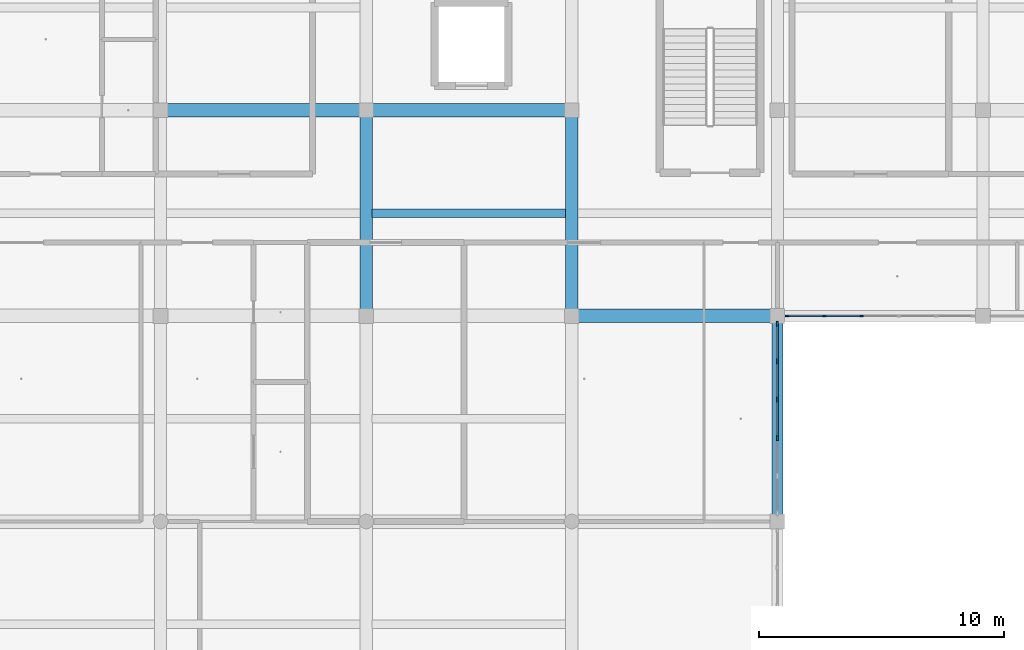
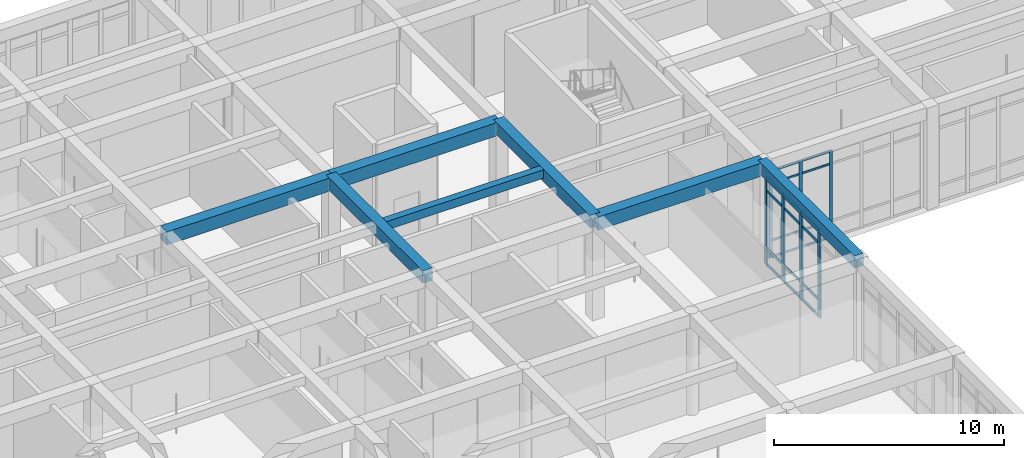
# One storey, part 39 of 157: 27 members, 7 beams, 2 elements without a shape of their own.
"""IFC4 building model written with IfcOpenShell, lengths in metres."""

from ifc_helpers import new_model, si_unit, direction, frame, origin, origin_2d, place, context, subcontext, project, spatial, rectangle, extrude, material, material_profile, profile_set, type_object, element, aggregate, save


model = new_model("IFC4")

# Units and contexts
model_context = context("Model", 3, precision=1e-05, world=origin(), true_north=direction((0.0, 1.0)))
body_context = subcontext(model_context, "Body", "Model", "MODEL_VIEW")
ifc_project = project(units=[si_unit("LENGTHUNIT", "METRE"), si_unit("AREAUNIT", "SQUARE_METRE"), si_unit("VOLUMEUNIT", "CUBIC_METRE"), si_unit("PLANEANGLEUNIT", "RADIAN"), si_unit("MASSUNIT", "GRAM", prefix="KILO")], contexts=[model_context])

# Site, building, storey
site_placement = place(None, origin())
site = spatial("IfcSite", under=ifc_project, at=site_placement, CompositionType="ELEMENT")
building_placement = place(site_placement, origin())
building = spatial("IfcBuilding", under=site, at=building_placement, Name="Varncliffe General Hospital", CompositionType="ELEMENT")
storey_placement = place(building_placement, frame((0.0, 0.0, 5.39990234375)))
storey = spatial("IfcBuildingStorey", under=building, at=storey_placement, Name="L01", CompositionType="ELEMENT", Elevation=5.39990234375)

# Beams
ifc_material_1 = material(Name="Concrete C35/45 (CSA A23.1 35 MPa)", Category="concrete")
ifc_material_profile_1 = material_profile(ifc_material_1, rectangle(XDim=0.5, YDim=0.64990234375, at=origin_2d()), Name="RC 500x650")
ifc_profile_set_1 = profile_set([ifc_material_profile_1], Name="Concrete C35/45 (CSA A23.1 35 MPa)")
beam_type_1 = type_object("IfcBeamType", Name="Beam B29 (Int RC 500x650)", PredefinedType="BEAM", material=ifc_profile_set_1)
for number, where, z_axis, x_axis, name in (
    (1, (100.800048828125, 82.800048828125, 5.0751953125), (0.0, 1.0, 0.0), (-1.0, 0.0, 0.0), "L01 Primary Beam B29-403"),
    (2, (109.199951171875, 82.800048828125, 5.0751953125), (0.0, 1.0, 0.0), (-1.0, 0.0, 0.0), "L01 Primary Beam B29-410"),
):
    element("IfcBeam", number, at=place(storey_placement, frame(where, z_axis=z_axis, x_axis=x_axis)), inside=storey, type_object=beam_type_1, Name=name, PredefinedType="BEAM", context=body_context, shape_type="SweptSolid", body=[
        extrude(rectangle(XDim=0.5, YDim=0.64990234375, at=origin_2d()), origin(), (0.0, 0.0, 1.0), 8.39990234375),
    ])
ifc_material_profile_2 = material_profile(ifc_material_1, rectangle(XDim=0.550048828125, YDim=0.699951171875, at=origin_2d()), Name="RC 550x700")
ifc_profile_set_2 = profile_set([ifc_material_profile_2], Name="Concrete C35/45 (CSA A23.1 35 MPa)")
beam_type_2 = type_object("IfcBeamType", Name="Beam B35 (Int RC 550x700)", PredefinedType="BEAM", material=ifc_profile_set_2)
for number, where, z_axis, x_axis, name in (
    (3, (109.199951171875, 82.800048828125, 5.050048828125), (1.0, 0.0, 0.0), (0.0, 1.0, 0.0), "L01 Primary Beam B35-125"),
    (4, (92.39990234375, 91.199951171875, 5.050048828125), (1.0, 0.0, 0.0), (0.0, 1.0, 0.0), "L01 Primary Beam B35-142"),
):
    element("IfcBeam", number, at=place(storey_placement, frame(where, z_axis=z_axis, x_axis=x_axis)), inside=storey, type_object=beam_type_2, Name=name, PredefinedType="BEAM", context=body_context, shape_type="SweptSolid", body=[
        extrude(rectangle(XDim=0.550048828125, YDim=0.699951171875, at=origin_2d()), origin(), (0.0, 0.0, 1.0), 8.400146484375),
    ])
beam_1_placement = place(storey_placement, frame((100.800048828125, 91.199951171875, 5.050048828125), z_axis=(1.0, 0.0, 0.0), x_axis=(0.0, 1.0, 0.0)))
element("IfcBeam", 5, at=beam_1_placement, inside=storey, type_object=beam_type_2, Name="L01 Primary Beam B35-143", PredefinedType="BEAM", context=body_context, shape_type="SweptSolid", body=[
    extrude(rectangle(XDim=0.550048828125, YDim=0.699951171875, at=origin_2d()), origin(), (0.0, 0.0, 1.0), 8.39990234375),
])

# Curtain wall, members
ifc_material_2 = material(Name="Triple low-E argon insulated vision glazing", Category="glass")
curtain_wall_type_1 = type_object("IfcCurtainWallType", Name="Unitised Glazed Curtain Wall CW27 (7644x4640)", PredefinedType="USERDEFINED", material=ifc_material_2)
curtain_wall_1_placement = place(storey_placement, origin())
curtain_wall_1 = element("IfcCurtainWall", 6, at=curtain_wall_1_placement, inside=storey, type_object=curtain_wall_type_1, Name="L01 Glazed Curtain Wall CW27-71", ObjectType="GLAZED CURTAIN WALL", PredefinedType="USERDEFINED")
ifc_material_3 = material(Name="Dark bronze thermally broken aluminium framing", Category="aluminium")
ifc_material_profile_3 = material_profile(ifc_material_3, rectangle(XDim=0.06494140625, YDim=0.159912109375, at=origin_2d()), Name="ALU 65x160")
ifc_profile_set_3 = profile_set([ifc_material_profile_3], Name="Dark bronze thermally broken aluminium framing")
member_type_1 = type_object("IfcMemberType", Name="Curtain Wall Mullion CM65 (ALU 65x160)", PredefinedType="MULLION", material=ifc_profile_set_3)
member_1_placement = place(storey_placement, frame((121.03564453125, 82.800048828125, 0.0), z_axis=(0.0, 0.0, 1.0), x_axis=(0.0, -1.0, 0.0)))
member_1 = element("IfcMember", 7, at=member_1_placement, type_object=member_type_1, Name="CW27 mullion 4", PredefinedType="MULLION", context=body_context, shape_type="SweptSolid", body=[
    extrude(rectangle(XDim=0.06494140625, YDim=0.159912109375, at=origin_2d()), origin(), (0.0, 0.0, 1.0), 4.64013671875),
])
member_2_placement = place(storey_placement, frame((119.5068359375, 82.800048828125, 0.0), z_axis=(0.0, 0.0, 1.0), x_axis=(0.0, -1.0, 0.0)))
member_2 = element("IfcMember", 8, at=member_2_placement, type_object=member_type_1, Name="CW27 mullion 5", PredefinedType="MULLION", context=body_context, shape_type="SweptSolid", body=[
    extrude(rectangle(XDim=0.06494140625, YDim=0.159912109375, at=origin_2d()), origin(), (0.0, 0.0, 1.0), 4.64013671875),
])
member_3_placement = place(storey_placement, frame((118.010498046875, 82.800048828125, 0.0), z_axis=(0.0, 0.0, 1.0), x_axis=(0.0, -1.0, 0.0)))
member_3 = element("IfcMember", 9, at=member_3_placement, type_object=member_type_1, Name="CW27 mullion 6", PredefinedType="MULLION", context=body_context, shape_type="SweptSolid", body=[
    extrude(rectangle(XDim=0.06494140625, YDim=0.159912109375, at=origin_2d()), origin(), (0.0, 0.0, 1.0), 4.64013671875),
])

curtain_wall_type_2 = type_object("IfcCurtainWallType", Name="Unitised Glazed Curtain Wall CW85 (7804x4640)", PredefinedType="USERDEFINED", material=ifc_material_2)
curtain_wall_2_placement = place(storey_placement, origin())
curtain_wall_2 = element("IfcCurtainWall", 10, at=curtain_wall_2_placement, inside=storey, type_object=curtain_wall_type_2, Name="L01 Glazed Curtain Wall CW85-72", ObjectType="GLAZED CURTAIN WALL", PredefinedType="USERDEFINED")
ifc_material_profile_4 = material_profile(ifc_material_3, rectangle(XDim=0.074951171875, YDim=0.219970703125, at=origin_2d()), Name="ALU 75x220")
ifc_profile_set_4 = profile_set([ifc_material_profile_4], Name="Dark bronze thermally broken aluminium framing")
member_type_2 = type_object("IfcMemberType", Name="Curtain Wall Mullion CM74 (ALU 75x220)", PredefinedType="MULLION", material=ifc_profile_set_4)
member_4_placement = place(storey_placement, frame((117.60009765625, 82.464599609375, 0.0), z_axis=(0.0, 0.0, 1.0), x_axis=(1.0, 0.0, 0.0)))
member_4 = element("IfcMember", 11, at=member_4_placement, type_object=member_type_2, Name="CW85 mullion 1", PredefinedType="MULLION", context=body_context, shape_type="SweptSolid", body=[
    extrude(rectangle(XDim=0.074951171875, YDim=0.219970703125, at=origin_2d()), origin(), (0.0, 0.0, 1.0), 4.64013671875),
])
member_5_placement = place(storey_placement, frame((117.60009765625, 80.941162109375, 0.0), z_axis=(0.0, 0.0, 1.0), x_axis=(1.0, 0.0, 0.0)))
member_5 = element("IfcMember", 12, at=member_5_placement, type_object=member_type_2, Name="CW85 mullion 2", PredefinedType="MULLION", context=body_context, shape_type="SweptSolid", body=[
    extrude(rectangle(XDim=0.074951171875, YDim=0.219970703125, at=origin_2d()), origin(), (0.0, 0.0, 1.0), 4.64013671875),
])
member_6_placement = place(storey_placement, frame((117.60009765625, 79.38037109375, 0.0), z_axis=(0.0, 0.0, 1.0), x_axis=(1.0, 0.0, 0.0)))
member_6 = element("IfcMember", 13, at=member_6_placement, type_object=member_type_2, Name="CW85 mullion 3", PredefinedType="MULLION", context=body_context, shape_type="SweptSolid", body=[
    extrude(rectangle(XDim=0.074951171875, YDim=0.219970703125, at=origin_2d()), origin(), (0.0, 0.0, 1.0), 4.64013671875),
])
member_7_placement = place(storey_placement, frame((117.60009765625, 77.819580078125, 0.0), z_axis=(0.0, 0.0, 1.0), x_axis=(1.0, 0.0, 0.0)))
member_7 = element("IfcMember", 14, at=member_7_placement, type_object=member_type_2, Name="CW85 mullion 4", PredefinedType="MULLION", context=body_context, shape_type="SweptSolid", body=[
    extrude(rectangle(XDim=0.074951171875, YDim=0.219970703125, at=origin_2d()), origin(), (0.0, 0.0, 1.0), 4.64013671875),
])

# Member
ifc_material_profile_5 = material_profile(ifc_material_3, rectangle(XDim=0.06005859375, YDim=0.10009765625, at=origin_2d()), Name="ALU 60x100")
ifc_profile_set_5 = profile_set([ifc_material_profile_5], Name="Dark bronze thermally broken aluminium framing")
member_type_3 = type_object("IfcMemberType", Name="Curtain Wall Transom CT18 (ALU 60x100)", PredefinedType="USERDEFINED", material=ifc_profile_set_5)
member_8_placement = place(storey_placement, frame((121.003173828125, 82.800048828125, 0.030029296875), z_axis=(-1.0, 0.0, 0.0), x_axis=(0.0, -1.0, 0.0)))
member_8 = element("IfcMember", 15, at=member_8_placement, type_object=member_type_3, Name="CW27 transom 4.1", ObjectType="TRANSOM", PredefinedType="USERDEFINED", context=body_context, shape_type="SweptSolid", body=[
    extrude(rectangle(XDim=0.06005859375, YDim=0.10009765625, at=origin_2d()), origin(), (0.0, 0.0, 1.0), 1.4638671875),
])

member_9_placement = place(storey_placement, frame((121.003173828125, 82.800048828125, 0.900146484375), z_axis=(-1.0, 0.0, 0.0), x_axis=(0.0, -1.0, 0.0)))
member_9 = element("IfcMember", 16, at=member_9_placement, type_object=member_type_3, Name="CW27 transom 4.2", ObjectType="TRANSOM", PredefinedType="USERDEFINED", context=body_context, shape_type="SweptSolid", body=[
    extrude(rectangle(XDim=0.06005859375, YDim=0.10009765625, at=origin_2d()), origin(), (0.0, 0.0, 1.0), 1.4638671875),
])

member_10_placement = place(storey_placement, frame((121.003173828125, 82.800048828125, 3.940185546875), z_axis=(-1.0, 0.0, 0.0), x_axis=(0.0, -1.0, 0.0)))
member_10 = element("IfcMember", 17, at=member_10_placement, type_object=member_type_3, Name="CW27 transom 4.3", ObjectType="TRANSOM", PredefinedType="USERDEFINED", context=body_context, shape_type="SweptSolid", body=[
    extrude(rectangle(XDim=0.06005859375, YDim=0.10009765625, at=origin_2d()), origin(), (0.0, 0.0, 1.0), 1.4638671875),
])

member_11_placement = place(storey_placement, frame((121.003173828125, 82.800048828125, 4.610107421875), z_axis=(-1.0, 0.0, 0.0), x_axis=(0.0, -1.0, 0.0)))
member_11 = element("IfcMember", 18, at=member_11_placement, type_object=member_type_3, Name="CW27 transom 4.4", ObjectType="TRANSOM", PredefinedType="USERDEFINED", context=body_context, shape_type="SweptSolid", body=[
    extrude(rectangle(XDim=0.06005859375, YDim=0.10009765625, at=origin_2d()), origin(), (0.0, 0.0, 1.0), 1.4638671875),
])

member_12_placement = place(storey_placement, frame((119.474365234375, 82.800048828125, 0.030029296875), z_axis=(-1.0, 0.0, 0.0), x_axis=(0.0, -1.0, 0.0)))
member_12 = element("IfcMember", 19, at=member_12_placement, type_object=member_type_3, Name="CW27 transom 5.1", ObjectType="TRANSOM", PredefinedType="USERDEFINED", context=body_context, shape_type="SweptSolid", body=[
    extrude(rectangle(XDim=0.06005859375, YDim=0.10009765625, at=origin_2d()), origin(), (0.0, 0.0, 1.0), 1.431396484375),
])

member_13_placement = place(storey_placement, frame((119.474365234375, 82.800048828125, 0.900146484375), z_axis=(-1.0, 0.0, 0.0), x_axis=(0.0, -1.0, 0.0)))
member_13 = element("IfcMember", 20, at=member_13_placement, type_object=member_type_3, Name="CW27 transom 5.2", ObjectType="TRANSOM", PredefinedType="USERDEFINED", context=body_context, shape_type="SweptSolid", body=[
    extrude(rectangle(XDim=0.06005859375, YDim=0.10009765625, at=origin_2d()), origin(), (0.0, 0.0, 1.0), 1.431396484375),
])

member_14_placement = place(storey_placement, frame((119.474365234375, 82.800048828125, 3.940185546875), z_axis=(-1.0, 0.0, 0.0), x_axis=(0.0, -1.0, 0.0)))
member_14 = element("IfcMember", 21, at=member_14_placement, type_object=member_type_3, Name="CW27 transom 5.3", ObjectType="TRANSOM", PredefinedType="USERDEFINED", context=body_context, shape_type="SweptSolid", body=[
    extrude(rectangle(XDim=0.06005859375, YDim=0.10009765625, at=origin_2d()), origin(), (0.0, 0.0, 1.0), 1.431396484375),
])

member_15_placement = place(storey_placement, frame((119.474365234375, 82.800048828125, 4.610107421875), z_axis=(-1.0, 0.0, 0.0), x_axis=(0.0, -1.0, 0.0)))
member_15 = element("IfcMember", 22, at=member_15_placement, type_object=member_type_3, Name="CW27 transom 5.4", ObjectType="TRANSOM", PredefinedType="USERDEFINED", context=body_context, shape_type="SweptSolid", body=[
    extrude(rectangle(XDim=0.06005859375, YDim=0.10009765625, at=origin_2d()), origin(), (0.0, 0.0, 1.0), 1.431396484375),
])

aggregate(curtain_wall_1, [member_1, member_2, member_3, member_8, member_9, member_10, member_11, member_12, member_13, member_14, member_15])

ifc_material_profile_6 = material_profile(ifc_material_3, rectangle(XDim=0.06494140625, YDim=0.139892578125, at=origin_2d()), Name="ALU 65x140")
ifc_profile_set_6 = profile_set([ifc_material_profile_6], Name="Dark bronze thermally broken aluminium framing")
member_type_4 = type_object("IfcMemberType", Name="Curtain Wall Transom CT69 (ALU 65x140)", PredefinedType="USERDEFINED", material=ifc_profile_set_6)
member_16_placement = place(storey_placement, frame((117.60009765625, 82.427001953125, 0.03271484375), z_axis=(0.0, -1.0, 0.0), x_axis=(1.0, 0.0, 0.0)))
member_16 = element("IfcMember", 23, at=member_16_placement, type_object=member_type_4, Name="CW85 transom 1.1", ObjectType="TRANSOM", PredefinedType="USERDEFINED", context=body_context, shape_type="SweptSolid", body=[
    extrude(rectangle(XDim=0.06494140625, YDim=0.139892578125, at=origin_2d()), origin(), (0.0, 0.0, 1.0), 1.4482421875),
])

member_17_placement = place(storey_placement, frame((117.60009765625, 82.427001953125, 0.900146484375), z_axis=(0.0, -1.0, 0.0), x_axis=(1.0, 0.0, 0.0)))
member_17 = element("IfcMember", 24, at=member_17_placement, type_object=member_type_4, Name="CW85 transom 1.2", ObjectType="TRANSOM", PredefinedType="USERDEFINED", context=body_context, shape_type="SweptSolid", body=[
    extrude(rectangle(XDim=0.06494140625, YDim=0.139892578125, at=origin_2d()), origin(), (0.0, 0.0, 1.0), 1.4482421875),
])

member_18_placement = place(storey_placement, frame((117.60009765625, 82.427001953125, 3.940185546875), z_axis=(0.0, -1.0, 0.0), x_axis=(1.0, 0.0, 0.0)))
member_18 = element("IfcMember", 25, at=member_18_placement, type_object=member_type_4, Name="CW85 transom 1.3", ObjectType="TRANSOM", PredefinedType="USERDEFINED", context=body_context, shape_type="SweptSolid", body=[
    extrude(rectangle(XDim=0.06494140625, YDim=0.139892578125, at=origin_2d()), origin(), (0.0, 0.0, 1.0), 1.4482421875),
])

member_19_placement = place(storey_placement, frame((117.60009765625, 82.427001953125, 4.607666015625), z_axis=(0.0, -1.0, 0.0), x_axis=(1.0, 0.0, 0.0)))
member_19 = element("IfcMember", 26, at=member_19_placement, type_object=member_type_4, Name="CW85 transom 1.4", ObjectType="TRANSOM", PredefinedType="USERDEFINED", context=body_context, shape_type="SweptSolid", body=[
    extrude(rectangle(XDim=0.06494140625, YDim=0.139892578125, at=origin_2d()), origin(), (0.0, 0.0, 1.0), 1.4482421875),
])

member_20_placement = place(storey_placement, frame((117.60009765625, 80.90380859375, 0.03271484375), z_axis=(0.0, -1.0, 0.0), x_axis=(1.0, 0.0, 0.0)))
member_20 = element("IfcMember", 27, at=member_20_placement, type_object=member_type_4, Name="CW85 transom 2.1", ObjectType="TRANSOM", PredefinedType="USERDEFINED", context=body_context, shape_type="SweptSolid", body=[
    extrude(rectangle(XDim=0.06494140625, YDim=0.139892578125, at=origin_2d()), origin(), (0.0, 0.0, 1.0), 1.48583984375),
])

member_21_placement = place(storey_placement, frame((117.60009765625, 80.90380859375, 0.900146484375), z_axis=(0.0, -1.0, 0.0), x_axis=(1.0, 0.0, 0.0)))
member_21 = element("IfcMember", 28, at=member_21_placement, type_object=member_type_4, Name="CW85 transom 2.2", ObjectType="TRANSOM", PredefinedType="USERDEFINED", context=body_context, shape_type="SweptSolid", body=[
    extrude(rectangle(XDim=0.06494140625, YDim=0.139892578125, at=origin_2d()), origin(), (0.0, 0.0, 1.0), 1.48583984375),
])

member_22_placement = place(storey_placement, frame((117.60009765625, 80.90380859375, 3.940185546875), z_axis=(0.0, -1.0, 0.0), x_axis=(1.0, 0.0, 0.0)))
member_22 = element("IfcMember", 29, at=member_22_placement, type_object=member_type_4, Name="CW85 transom 2.3", ObjectType="TRANSOM", PredefinedType="USERDEFINED", context=body_context, shape_type="SweptSolid", body=[
    extrude(rectangle(XDim=0.06494140625, YDim=0.139892578125, at=origin_2d()), origin(), (0.0, 0.0, 1.0), 1.48583984375),
])

member_23_placement = place(storey_placement, frame((117.60009765625, 80.90380859375, 4.607666015625), z_axis=(0.0, -1.0, 0.0), x_axis=(1.0, 0.0, 0.0)))
member_23 = element("IfcMember", 30, at=member_23_placement, type_object=member_type_4, Name="CW85 transom 2.4", ObjectType="TRANSOM", PredefinedType="USERDEFINED", context=body_context, shape_type="SweptSolid", body=[
    extrude(rectangle(XDim=0.06494140625, YDim=0.139892578125, at=origin_2d()), origin(), (0.0, 0.0, 1.0), 1.48583984375),
])

member_24_placement = place(storey_placement, frame((117.60009765625, 79.343017578125, 0.03271484375), z_axis=(0.0, -1.0, 0.0), x_axis=(1.0, 0.0, 0.0)))
member_24 = element("IfcMember", 31, at=member_24_placement, type_object=member_type_4, Name="CW85 transom 3.1", ObjectType="TRANSOM", PredefinedType="USERDEFINED", context=body_context, shape_type="SweptSolid", body=[
    extrude(rectangle(XDim=0.06494140625, YDim=0.139892578125, at=origin_2d()), origin(), (0.0, 0.0, 1.0), 1.48583984375),
])

member_25_placement = place(storey_placement, frame((117.60009765625, 79.343017578125, 0.900146484375), z_axis=(0.0, -1.0, 0.0), x_axis=(1.0, 0.0, 0.0)))
member_25 = element("IfcMember", 32, at=member_25_placement, type_object=member_type_4, Name="CW85 transom 3.2", ObjectType="TRANSOM", PredefinedType="USERDEFINED", context=body_context, shape_type="SweptSolid", body=[
    extrude(rectangle(XDim=0.06494140625, YDim=0.139892578125, at=origin_2d()), origin(), (0.0, 0.0, 1.0), 1.48583984375),
])

member_26_placement = place(storey_placement, frame((117.60009765625, 79.343017578125, 3.940185546875), z_axis=(0.0, -1.0, 0.0), x_axis=(1.0, 0.0, 0.0)))
member_26 = element("IfcMember", 33, at=member_26_placement, type_object=member_type_4, Name="CW85 transom 3.3", ObjectType="TRANSOM", PredefinedType="USERDEFINED", context=body_context, shape_type="SweptSolid", body=[
    extrude(rectangle(XDim=0.06494140625, YDim=0.139892578125, at=origin_2d()), origin(), (0.0, 0.0, 1.0), 1.48583984375),
])

member_27_placement = place(storey_placement, frame((117.60009765625, 79.343017578125, 4.607666015625), z_axis=(0.0, -1.0, 0.0), x_axis=(1.0, 0.0, 0.0)))
member_27 = element("IfcMember", 34, at=member_27_placement, type_object=member_type_4, Name="CW85 transom 3.4", ObjectType="TRANSOM", PredefinedType="USERDEFINED", context=body_context, shape_type="SweptSolid", body=[
    extrude(rectangle(XDim=0.06494140625, YDim=0.139892578125, at=origin_2d()), origin(), (0.0, 0.0, 1.0), 1.48583984375),
])

aggregate(curtain_wall_2, [member_4, member_5, member_6, member_7, member_16, member_17, member_18, member_19, member_20, member_21, member_22, member_23, member_24, member_25, member_26, member_27])

# Beams
ifc_material_profile_7 = material_profile(ifc_material_1, rectangle(XDim=0.35009765625, YDim=0.449951171875, at=origin_2d()), Name="RC 350x450")
ifc_profile_set_7 = profile_set([ifc_material_profile_7], Name="Concrete C35/45 (CSA A23.1 35 MPa)")
beam_type_3 = type_object("IfcBeamType", Name="Joist J55 (Int RC 350x450)", PredefinedType="JOIST", material=ifc_profile_set_7)
beam_2_placement = place(storey_placement, frame((101.048095703125, 87.0, 5.175048828125), z_axis=(1.0, 0.0, 0.0), x_axis=(0.0, 1.0, 0.0)))
element("IfcBeam", 35, at=beam_2_placement, inside=storey, type_object=beam_type_3, Name="L01 Secondary Floor Rib J55-56", PredefinedType="JOIST", context=body_context, shape_type="SweptSolid", body=[
    extrude(rectangle(XDim=0.35009765625, YDim=0.449951171875, at=origin_2d()), origin(), (0.0, 0.0, 1.0), 7.90380859375),
])
ifc_material_profile_8 = material_profile(ifc_material_1, rectangle(XDim=0.449951171875, YDim=0.64990234375, at=origin_2d()), Name="RC 450x650")
ifc_profile_set_8 = profile_set([ifc_material_profile_8], Name="Concrete C35/45 (CSA A23.1 35 MPa)")
beam_type_4 = type_object("IfcBeamType", Name="Spandrel SP38 (Ext RC 450x650B)", PredefinedType="SPANDREL", material=ifc_profile_set_8)
beam_3_placement = place(storey_placement, frame((117.60009765625, 74.39990234375, 5.0751953125), z_axis=(0.0, 1.0, 0.0), x_axis=(-1.0, 0.0, 0.0)))
element("IfcBeam", 36, at=beam_3_placement, inside=storey, type_object=beam_type_4, Name="L01 Spandrel Beam SP38-425", PredefinedType="SPANDREL", context=body_context, shape_type="SweptSolid", body=[
    extrude(rectangle(XDim=0.449951171875, YDim=0.64990234375, at=origin_2d()), origin(), (0.0, 0.0, 1.0), 8.400146484375),
])

save(model, "model.ifc")
